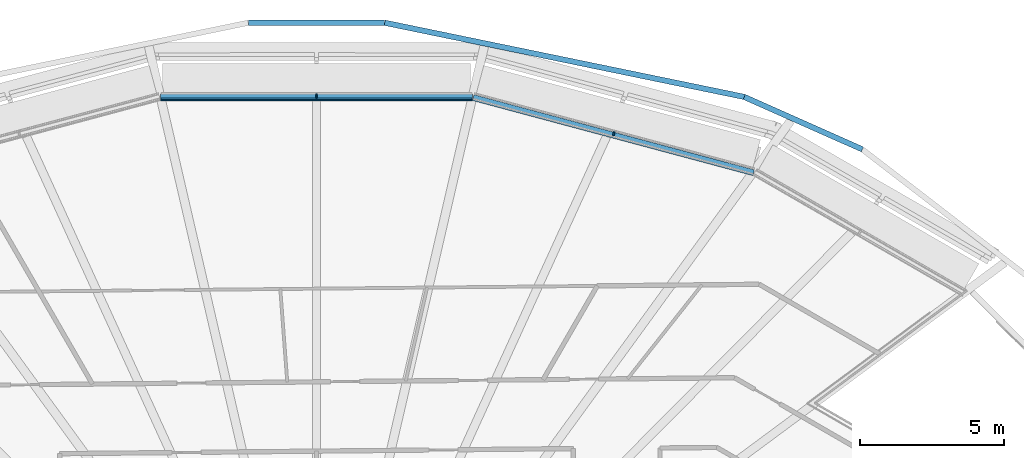
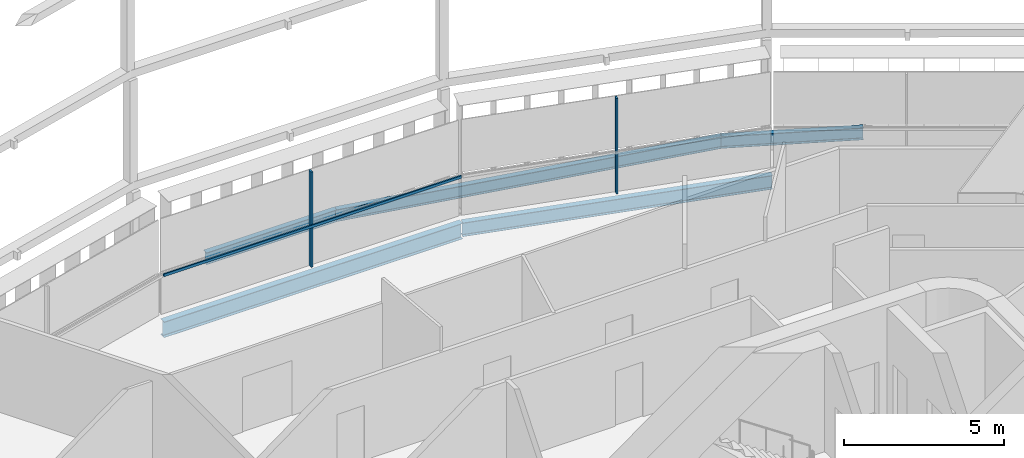
# One storey, part 11 of 28: 5 beams, 3 members, 2 elements without a shape of their own.
"""IFC4 building model written with IfcOpenShell, lengths in metres."""

from ifc_helpers import new_model, si_unit, direction, frame, origin, origin_2d, place, context, subcontext, project, spatial, rectangle, i_section, extrude, material, layer, layer_set, material_profile, profile_set, type_object, element, aggregate, save


model = new_model("IFC4")

# Units and contexts
model_context = context("Model", 3, precision=1e-05, world=origin(), true_north=direction((0.0, 1.0)))
body_context = subcontext(model_context, "Body", "Model", "MODEL_VIEW")
ifc_project = project(units=[si_unit("LENGTHUNIT", "METRE"), si_unit("AREAUNIT", "SQUARE_METRE"), si_unit("VOLUMEUNIT", "CUBIC_METRE"), si_unit("PLANEANGLEUNIT", "RADIAN"), si_unit("MASSUNIT", "GRAM", prefix="KILO")], contexts=[model_context])

# Site, building, storey
site_placement = place(None, origin())
site = spatial("IfcSite", under=ifc_project, at=site_placement, CompositionType="ELEMENT")
building_placement = place(site_placement, origin())
building = spatial("IfcBuilding", under=site, at=building_placement, Name="Sahrelin Media Tower", CompositionType="ELEMENT")
storey_placement = place(building_placement, frame((0.0, 0.0, 75.60009765625)))
storey = spatial("IfcBuildingStorey", under=building, at=storey_placement, Name="L13", CompositionType="ELEMENT", Elevation=75.60009765625)

# Beams
ifc_material_1 = material(Name="Steel S355", Category="steel")
ifc_material_profile_1 = material_profile(ifc_material_1, i_section(OverallWidth=0.208740234375, OverallDepth=0.5283203125, WebThickness=0.009521484375, FlangeThickness=0.01318359375, FilletRadius=0.0126953125, at=origin_2d()), Name="UB 533x210x82")
ifc_profile_set_1 = profile_set([ifc_material_profile_1], Name="Steel S355")
beam_type_1 = type_object("IfcBeamType", Name="Edge beam EB6", PredefinedType="BEAM", material=ifc_profile_set_1)
beam_1_placement = place(storey_placement, frame((5.430908203125, 23.37060546875, -0.414306640625), z_axis=(0.965926812337, -0.258815365093, 0.0), x_axis=(0.258815365093, 0.965926812337, 0.0)))
element("IfcBeam", 1, at=beam_1_placement, inside=storey, type_object=beam_type_1, Name="Edge beam L13-19", PredefinedType="BEAM", context=body_context, shape_type="SweptSolid", body=[
    extrude(i_section(OverallWidth=0.208740234375, OverallDepth=0.5283203125, WebThickness=0.009521484375, FlangeThickness=0.01318359375, FilletRadius=0.0126953125, at=origin_2d()), origin(), (0.0, 0.0, 1.0), 10.056640625),
])
ifc_material_profile_2 = material_profile(ifc_material_1, i_section(OverallWidth=0.2275390625, OverallDepth=0.6025390625, WebThickness=0.010498046875, FlangeThickness=0.014892578125, FilletRadius=0.0126953125, at=origin_2d()), Name="UB 610x229x101")
ifc_profile_set_2 = profile_set([ifc_material_profile_2], Name="Steel S355")
beam_type_2 = type_object("IfcBeamType", Name="Edge beam EB7", PredefinedType="BEAM", material=ifc_profile_set_2)
beam_2_placement = place(storey_placement, frame((-5.402099609375, 23.37451171875, -0.451416015625), z_axis=(1.0, 0.0, 0.0), x_axis=(0.0, 1.0, 0.0)))
element("IfcBeam", 2, at=beam_2_placement, inside=storey, type_object=beam_type_2, Name="Edge beam L13-18", PredefinedType="BEAM", context=body_context, shape_type="SweptSolid", body=[
    extrude(i_section(OverallWidth=0.2275390625, OverallDepth=0.6025390625, WebThickness=0.010498046875, FlangeThickness=0.014892578125, FilletRadius=0.0126953125, at=origin_2d()), origin(), (0.0, 0.0, 1.0), 10.80419921875),
])

# Curtain wall, member
ifc_material_2 = material(Name="Champagne anodised aluminium 6063-T6", Category="aluminium")
ifc_layer = layer(ifc_material_2, 0.14990234375)
ifc_layer_set = layer_set([ifc_layer], Name="Tower ribbon curtain wall")
curtain_wall_type = type_object("IfcCurtainWallType", Name="Tower ribbon curtain wall", PredefinedType="NOTDEFINED", material=ifc_layer_set)
curtain_wall_1_placement = place(storey_placement, frame((10.326416015625, 22.214111328125, 0.0), z_axis=(0.0, 0.0, 1.0), x_axis=(1.0, 0.0, 0.0)))
curtain_wall_1 = element("IfcCurtainWall", 3, at=curtain_wall_1_placement, inside=storey, type_object=curtain_wall_type, Name="L13:CW:L13-05", PredefinedType="NOTDEFINED")
ifc_material_profile_3 = material_profile(ifc_material_2, rectangle(XDim=0.06005859375, YDim=0.14990234375, at=origin_2d()), Name="Mullion 60x150")
ifc_profile_set_3 = profile_set([ifc_material_profile_3], Name="Champagne anodised aluminium 6063-T6")
member_type_1 = type_object("IfcMemberType", Name="Mullion 60x150 CW1", PredefinedType="MULLION", material=ifc_profile_set_3)
member_1_placement = place(storey_placement, frame((10.302001953125, 22.122314453125, 0.0), z_axis=(0.0, 0.0, 1.0), x_axis=(-0.965924922834, 0.258822416818, 0.0)))
member_1 = element("IfcMember", 4, at=member_1_placement, type_object=member_type_1, Name="L13:CWM:L13-05", PredefinedType="MULLION", context=body_context, shape_type="SweptSolid", body=[
    extrude(rectangle(XDim=0.06005859375, YDim=0.14990234375, at=origin_2d()), origin(), (0.0, 0.0, 1.0), 3.6484375),
])
aggregate(curtain_wall_1, [member_1])

curtain_wall_2_placement = place(storey_placement, frame((0.0, 23.5244140625, 0.0), z_axis=(0.0, 0.0, 1.0), x_axis=(1.0, 0.0, 0.0)))
curtain_wall_2 = element("IfcCurtainWall", 5, at=curtain_wall_2_placement, inside=storey, type_object=curtain_wall_type, Name="L13:CW:L13-06", PredefinedType="NOTDEFINED")
member_2_placement = place(storey_placement, frame((0.0, 23.429443359375, 0.0), z_axis=(0.0, 0.0, 1.0), x_axis=(-1.0, 0.0, 0.0)))
member_2 = element("IfcMember", 6, at=member_2_placement, type_object=member_type_1, Name="L13:CWM:L13-06", PredefinedType="MULLION", context=body_context, shape_type="SweptSolid", body=[
    extrude(rectangle(XDim=0.06005859375, YDim=0.14990234375, at=origin_2d()), origin(), (0.0, 0.0, 1.0), 3.6484375),
])

# Beams
ifc_material_profile_4 = material_profile(ifc_material_1, i_section(OverallWidth=0.1904296875, OverallDepth=0.45703125, WebThickness=0.009033203125, FlangeThickness=0.014404296875, FilletRadius=0.01025390625, at=origin_2d()), Name="UB 457x191x74")
ifc_profile_set_4 = profile_set([ifc_material_profile_4], Name="Steel S355")
beam_type_3 = type_object("IfcBeamType", Name="Tie chord TC5", PredefinedType="BEAM", material=ifc_profile_set_4)
beam_3_placement = place(storey_placement, frame((18.91259765625, 21.5771484375, -0.378662109375), z_axis=(-0.913840777951, 0.406072693681, 0.0), x_axis=(-0.406072693681, -0.913840777951, 0.0)))
element("IfcBeam", 7, at=beam_3_placement, inside=storey, type_object=beam_type_3, Name="Tie chord L13-04", PredefinedType="BEAM", context=body_context, shape_type="SweptSolid", body=[
    extrude(i_section(OverallWidth=0.1904296875, OverallDepth=0.45703125, WebThickness=0.009033203125, FlangeThickness=0.014404296875, FilletRadius=0.01025390625, at=origin_2d()), origin(), (0.0, 0.0, 1.0), 4.477294921875),
])
beam_4_placement = place(storey_placement, frame((14.821044921875, 23.395263671875, -0.378662109375), z_axis=(-0.979386410906, 0.201995688401, 0.0), x_axis=(-0.201995688401, -0.979386410906, 0.0)))
element("IfcBeam", 8, at=beam_4_placement, inside=storey, type_object=beam_type_3, Name="Tie chord L13-05", PredefinedType="BEAM", context=body_context, shape_type="SweptSolid", body=[
    extrude(i_section(OverallWidth=0.1904296875, OverallDepth=0.45703125, WebThickness=0.009033203125, FlangeThickness=0.014404296875, FilletRadius=0.01025390625, at=origin_2d()), origin(), (0.0, 0.0, 1.0), 12.720947265625),
])
beam_5_placement = place(storey_placement, frame((2.3623046875, 25.96484375, -0.378662109375), z_axis=(-1.0, 0.0, 0.0), x_axis=(0.0, -1.0, 0.0)))
element("IfcBeam", 9, at=beam_5_placement, inside=storey, type_object=beam_type_3, Name="Tie chord L13-06", PredefinedType="BEAM", context=body_context, shape_type="SweptSolid", body=[
    extrude(i_section(OverallWidth=0.1904296875, OverallDepth=0.45703125, WebThickness=0.009033203125, FlangeThickness=0.014404296875, FilletRadius=0.01025390625, at=origin_2d()), origin(), (0.0, 0.0, 1.0), 4.724609375),
])

# Member
ifc_material_profile_5 = material_profile(ifc_material_2, rectangle(XDim=0.050048828125, YDim=0.10009765625, at=origin_2d()), Name="Transom 50x100")
ifc_profile_set_5 = profile_set([ifc_material_profile_5], Name="Champagne anodised aluminium 6063-T6")
member_type_2 = type_object("IfcMemberType", Name="Transom 50x100 CW1", PredefinedType="USERDEFINED", material=ifc_profile_set_5)
member_3_placement = place(storey_placement, frame((5.386474609375, 23.329345703125, 1.599853515625), z_axis=(-1.0, 0.0, 0.0), x_axis=(0.0, -1.0, 0.0)))
member_3 = element("IfcMember", 10, at=member_3_placement, type_object=member_type_2, Name="L13:CWT:L13-06", ObjectType="TRANSOM", PredefinedType="USERDEFINED", context=body_context, shape_type="SweptSolid", body=[
    extrude(rectangle(XDim=0.050048828125, YDim=0.10009765625, at=origin_2d()), origin(), (0.0, 0.0, 1.0), 10.77294921875),
])

aggregate(curtain_wall_2, [member_2, member_3])

save(model, "model.ifc")
